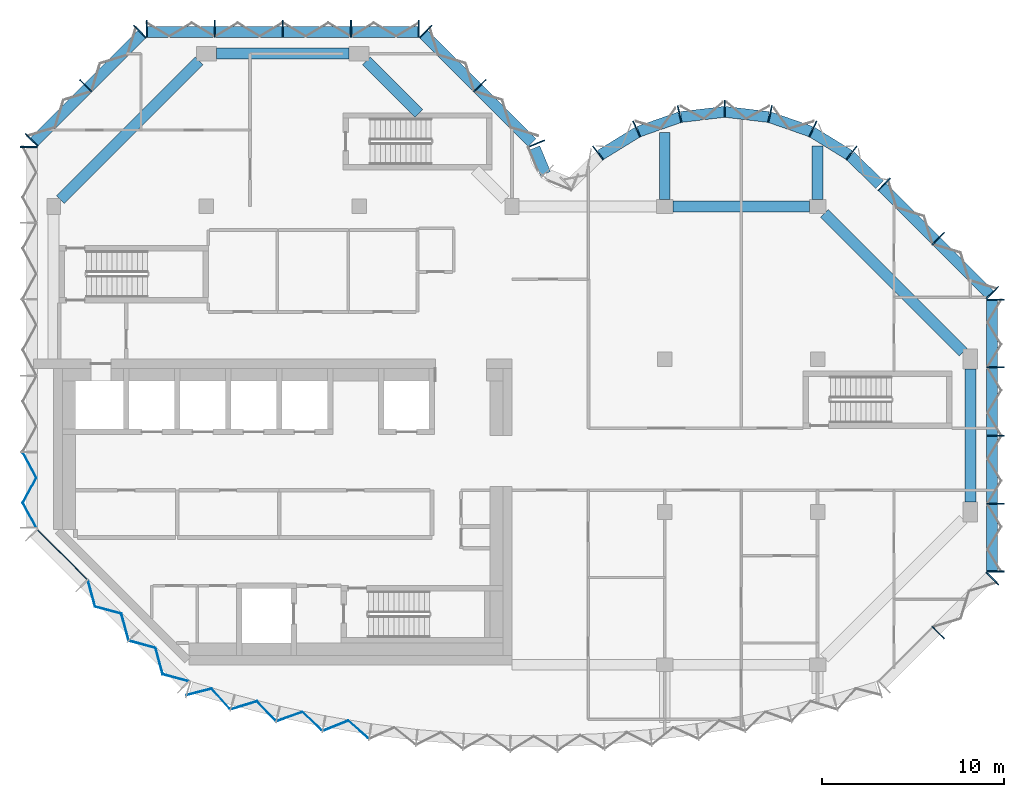
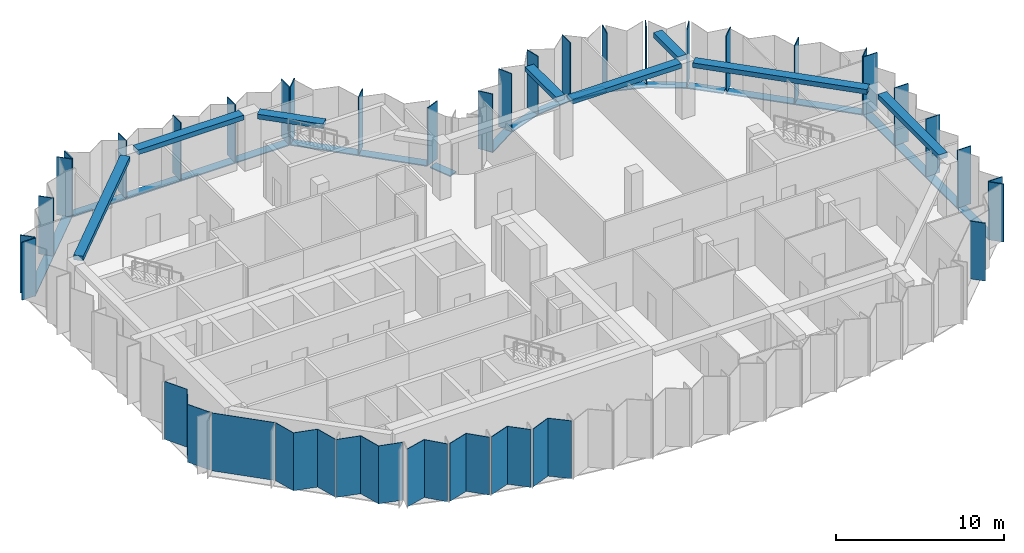
# One storey, part 2 of 10: 42 members, 8 beams, 8 plates, 11 elements without a shape of their own.
"""IFC4 building model written with IfcOpenShell, lengths in metres."""

from ifc_helpers import new_model, si_unit, direction, frame, origin, origin_2d, place, context, subcontext, project, spatial, polyline, rectangle, outline, extrude, material, layer, layer_set, material_profile, profile_set, type_object, element, aggregate, save


model = new_model("IFC4")

# Units and contexts
model_context = context("Model", 3, precision=1e-05, world=origin(), true_north=direction((0.0, 1.0)))
body_context = subcontext(model_context, "Body", "Model", "MODEL_VIEW")
ifc_project = project(units=[si_unit("LENGTHUNIT", "METRE"), si_unit("AREAUNIT", "SQUARE_METRE"), si_unit("VOLUMEUNIT", "CUBIC_METRE"), si_unit("PLANEANGLEUNIT", "RADIAN"), si_unit("MASSUNIT", "GRAM", prefix="KILO")], contexts=[model_context])

# Site, building, storey
site_placement = place(None, origin())
site = spatial("IfcSite", under=ifc_project, at=site_placement, CompositionType="ELEMENT")
building_placement = place(site_placement, origin())
building = spatial("IfcBuilding", under=site, at=building_placement, Name="Brevane Broadcast Tower", CompositionType="ELEMENT")
storey_placement = place(building_placement, frame((0.0, 0.0, 251.699951171875)))
storey = spatial("IfcBuildingStorey", under=building, at=storey_placement, Name="L64", CompositionType="ELEMENT", Elevation=251.699951171875)

# Curtain wall, members
ifc_material_1 = material(Name="Aluminium 6063-T6 bronze anodised", Category="aluminium")
curtain_wall_type = type_object("IfcCurtainWallType", Name="CW-5 curtain wall", PredefinedType="NOTDEFINED", material=ifc_material_1)
curtain_wall_1_placement = place(storey_placement, origin())
curtain_wall_1 = element("IfcCurtainWall", 1, at=curtain_wall_1_placement, inside=storey, type_object=curtain_wall_type, Name="CW-5 crown glazing unit L64 south-east chamfer", PredefinedType="NOTDEFINED")
ifc_material_profile_1 = material_profile(ifc_material_1, rectangle(XDim=0.949951171875, YDim=0.06005859375, at=origin_2d()), Name="RECT 60x950")
ifc_profile_set_1 = profile_set([ifc_material_profile_1], Name="Aluminium 6063-T6 bronze anodised")
member_type_1 = type_object("IfcMemberType", Name="CW-5 mullion 60x950", PredefinedType="MULLION", material=ifc_profile_set_1)
member_1_placement = place(storey_placement, frame((48.635986328125, 1.76416015625, -0.169921875), z_axis=(0.0, 0.0, 1.0), x_axis=(-0.707106781187, 0.707106781187, 0.0)))
member_1 = element("IfcMember", 2, at=member_1_placement, type_object=member_type_1, Name="CW-5 mullion", PredefinedType="MULLION", context=body_context, shape_type="SweptSolid", body=[
    extrude(rectangle(XDim=0.949951171875, YDim=0.06005859375, at=origin_2d()), origin(), (0.0, 0.0, 1.0), 4.219970703125),
])
member_2_placement = place(storey_placement, frame((51.61474609375, 4.742919921875, -0.169921875), z_axis=(0.0, 0.0, 1.0), x_axis=(-0.707106781187, 0.707106781187, 0.0)))
member_2 = element("IfcMember", 3, at=member_2_placement, type_object=member_type_1, Name="CW-5 mullion", PredefinedType="MULLION", context=body_context, shape_type="SweptSolid", body=[
    extrude(rectangle(XDim=0.949951171875, YDim=0.06005859375, at=origin_2d()), origin(), (0.0, 0.0, 1.0), 4.219970703125),
])
aggregate(curtain_wall_1, [member_1, member_2])

curtain_wall_2_placement = place(storey_placement, origin())
curtain_wall_2 = element("IfcCurtainWall", 4, at=curtain_wall_2_placement, inside=storey, type_object=curtain_wall_type, Name="CW-5 crown glazing unit L64 east end", PredefinedType="NOTDEFINED")
member_3_placement = place(storey_placement, frame((51.77490234375, 5.1298828125, -0.169921875), z_axis=(0.0, 0.0, 1.0), x_axis=(-1.0, 0.0, 0.0)))
member_3 = element("IfcMember", 5, at=member_3_placement, type_object=member_type_1, Name="CW-5 mullion", PredefinedType="MULLION", context=body_context, shape_type="SweptSolid", body=[
    extrude(rectangle(XDim=0.949951171875, YDim=0.06005859375, at=origin_2d()), origin(), (0.0, 0.0, 1.0), 4.219970703125),
])
member_4_placement = place(storey_placement, frame((51.77490234375, 8.85009765625, -0.169921875), z_axis=(0.0, 0.0, 1.0), x_axis=(-1.0, 0.0, 0.0)))
member_4 = element("IfcMember", 6, at=member_4_placement, type_object=member_type_1, Name="CW-5 mullion", PredefinedType="MULLION", context=body_context, shape_type="SweptSolid", body=[
    extrude(rectangle(XDim=0.949951171875, YDim=0.06005859375, at=origin_2d()), origin(), (0.0, 0.0, 1.0), 4.219970703125),
])
member_5_placement = place(storey_placement, frame((51.77490234375, 12.60009765625, -0.169921875), z_axis=(0.0, 0.0, 1.0), x_axis=(-1.0, 0.0, 0.0)))
member_5 = element("IfcMember", 7, at=member_5_placement, type_object=member_type_1, Name="CW-5 mullion", PredefinedType="MULLION", context=body_context, shape_type="SweptSolid", body=[
    extrude(rectangle(XDim=0.949951171875, YDim=0.06005859375, at=origin_2d()), origin(), (0.0, 0.0, 1.0), 4.219970703125),
])
member_6_placement = place(storey_placement, frame((51.77490234375, 16.35009765625, -0.169921875), z_axis=(0.0, 0.0, 1.0), x_axis=(-1.0, 0.0, 0.0)))
member_6 = element("IfcMember", 8, at=member_6_placement, type_object=member_type_1, Name="CW-5 mullion", PredefinedType="MULLION", context=body_context, shape_type="SweptSolid", body=[
    extrude(rectangle(XDim=0.949951171875, YDim=0.06005859375, at=origin_2d()), origin(), (0.0, 0.0, 1.0), 4.219970703125),
])
member_7_placement = place(storey_placement, frame((51.77490234375, 20.070068359375, -0.169921875), z_axis=(0.0, 0.0, 1.0), x_axis=(-1.0, 0.0, 0.0)))
member_7 = element("IfcMember", 9, at=member_7_placement, type_object=member_type_1, Name="CW-5 mullion", PredefinedType="MULLION", context=body_context, shape_type="SweptSolid", body=[
    extrude(rectangle(XDim=0.949951171875, YDim=0.06005859375, at=origin_2d()), origin(), (0.0, 0.0, 1.0), 4.219970703125),
])

curtain_wall_3_placement = place(storey_placement, origin())
curtain_wall_3 = element("IfcCurtainWall", 10, at=curtain_wall_3_placement, inside=storey, type_object=curtain_wall_type, Name="CW-5 crown glazing unit L64 north-east chamfer", PredefinedType="NOTDEFINED")
member_8_placement = place(storey_placement, frame((51.61474609375, 20.45703125, -0.169921875), z_axis=(0.0, 0.0, 1.0), x_axis=(-0.707106781187, -0.707106781187, 0.0)))
member_8 = element("IfcMember", 11, at=member_8_placement, type_object=member_type_1, Name="CW-5 mullion", PredefinedType="MULLION", context=body_context, shape_type="SweptSolid", body=[
    extrude(rectangle(XDim=0.949951171875, YDim=0.06005859375, at=origin_2d()), origin(), (0.0, 0.0, 1.0), 4.219970703125),
])
member_9_placement = place(storey_placement, frame((48.635986328125, 23.435791015625, -0.169921875), z_axis=(0.0, 0.0, 1.0), x_axis=(-0.707106781187, -0.707106781187, 0.0)))
member_9 = element("IfcMember", 12, at=member_9_placement, type_object=member_type_1, Name="CW-5 mullion", PredefinedType="MULLION", context=body_context, shape_type="SweptSolid", body=[
    extrude(rectangle(XDim=0.949951171875, YDim=0.06005859375, at=origin_2d()), origin(), (0.0, 0.0, 1.0), 4.219970703125),
])
member_10_placement = place(storey_placement, frame((45.656982421875, 26.41455078125, -0.169921875), z_axis=(0.0, 0.0, 1.0), x_axis=(-0.707106781187, -0.707106781187, 0.0)))
member_10 = element("IfcMember", 13, at=member_10_placement, type_object=member_type_1, Name="CW-5 mullion", PredefinedType="MULLION", context=body_context, shape_type="SweptSolid", body=[
    extrude(rectangle(XDim=0.949951171875, YDim=0.06005859375, at=origin_2d()), origin(), (0.0, 0.0, 1.0), 4.219970703125),
])

curtain_wall_4_placement = place(storey_placement, origin())
curtain_wall_4 = element("IfcCurtainWall", 14, at=curtain_wall_4_placement, inside=storey, type_object=curtain_wall_type, Name="CW-5 crown glazing unit L64 east bow", PredefinedType="NOTDEFINED")
member_11_placement = place(storey_placement, frame((43.8720703125, 28.1455078125, -0.169921875), z_axis=(0.0, 0.0, 1.0), x_axis=(-0.614769698862, -0.788706673841, 0.0)))
member_11 = element("IfcMember", 15, at=member_11_placement, type_object=member_type_1, Name="CW-5 mullion", PredefinedType="MULLION", context=body_context, shape_type="SweptSolid", body=[
    extrude(rectangle(XDim=0.949951171875, YDim=0.06005859375, at=origin_2d()), origin(), (0.0, 0.0, 1.0), 4.219970703125),
])
member_12_placement = place(storey_placement, frame((41.746826171875, 29.4580078125, -0.169921875), z_axis=(0.0, 0.0, 1.0), x_axis=(-0.429933580394, -0.902860518823, 0.0)))
member_12 = element("IfcMember", 16, at=member_12_placement, type_object=member_type_1, Name="CW-5 mullion", PredefinedType="MULLION", context=body_context, shape_type="SweptSolid", body=[
    extrude(rectangle(XDim=0.949951171875, YDim=0.06005859375, at=origin_2d()), origin(), (0.0, 0.0, 1.0), 4.219970703125),
])
member_13_placement = place(storey_placement, frame((39.38818359375, 30.28076171875, -0.169921875), z_axis=(0.0, 0.0, 1.0), x_axis=(-0.224806535479, -0.974403418306, 0.0)))
member_13 = element("IfcMember", 17, at=member_13_placement, type_object=member_type_1, Name="CW-5 mullion", PredefinedType="MULLION", context=body_context, shape_type="SweptSolid", body=[
    extrude(rectangle(XDim=0.949951171875, YDim=0.06005859375, at=origin_2d()), origin(), (0.0, 0.0, 1.0), 4.219970703125),
])
member_14_placement = place(storey_placement, frame((36.89990234375, 30.574951171875, -0.169921875), z_axis=(0.0, 0.0, 1.0), x_axis=(0.0, -1.0, 0.0)))
member_14 = element("IfcMember", 18, at=member_14_placement, type_object=member_type_1, Name="CW-5 mullion", PredefinedType="MULLION", context=body_context, shape_type="SweptSolid", body=[
    extrude(rectangle(XDim=0.949951171875, YDim=0.06005859375, at=origin_2d()), origin(), (0.0, 0.0, 1.0), 4.219970703125),
])
member_15_placement = place(storey_placement, frame((34.411865234375, 30.28076171875, -0.169921875), z_axis=(0.0, 0.0, 1.0), x_axis=(0.224806535479, -0.974403418306, 0.0)))
member_15 = element("IfcMember", 19, at=member_15_placement, type_object=member_type_1, Name="CW-5 mullion", PredefinedType="MULLION", context=body_context, shape_type="SweptSolid", body=[
    extrude(rectangle(XDim=0.949951171875, YDim=0.06005859375, at=origin_2d()), origin(), (0.0, 0.0, 1.0), 4.219970703125),
])
member_16_placement = place(storey_placement, frame((32.05322265625, 29.4580078125, -0.169921875), z_axis=(0.0, 0.0, 1.0), x_axis=(0.429933580394, -0.902860518823, 0.0)))
member_16 = element("IfcMember", 20, at=member_16_placement, type_object=member_type_1, Name="CW-5 mullion", PredefinedType="MULLION", context=body_context, shape_type="SweptSolid", body=[
    extrude(rectangle(XDim=0.949951171875, YDim=0.06005859375, at=origin_2d()), origin(), (0.0, 0.0, 1.0), 4.219970703125),
])
member_17_placement = place(storey_placement, frame((29.927978515625, 28.1455078125, -0.169921875), z_axis=(0.0, 0.0, 1.0), x_axis=(0.614769698862, -0.788706673841, 0.0)))
member_17 = element("IfcMember", 21, at=member_17_placement, type_object=member_type_1, Name="CW-5 mullion", PredefinedType="MULLION", context=body_context, shape_type="SweptSolid", body=[
    extrude(rectangle(XDim=0.949951171875, YDim=0.06005859375, at=origin_2d()), origin(), (0.0, 0.0, 1.0), 4.219970703125),
])

# Curtain wall, member
curtain_wall_5_placement = place(storey_placement, origin())
curtain_wall_5 = element("IfcCurtainWall", 22, at=curtain_wall_5_placement, inside=storey, type_object=curtain_wall_type, Name="CW-5 crown glazing unit L64 inner corner", PredefinedType="NOTDEFINED")
member_18_placement = place(storey_placement, frame((26.55029296875, 28.654052734375, -0.169921875), z_axis=(0.0, 0.0, 1.0), x_axis=(-0.923879532511, -0.382683432365, 0.0)))
member_18 = element("IfcMember", 23, at=member_18_placement, type_object=member_type_1, Name="CW-5 mullion", PredefinedType="MULLION", context=body_context, shape_type="SweptSolid", body=[
    extrude(rectangle(XDim=0.949951171875, YDim=0.06005859375, at=origin_2d()), origin(), (0.0, 0.0, 1.0), 4.219970703125),
])

# Curtain wall, members
curtain_wall_6_placement = place(storey_placement, origin())
curtain_wall_6 = element("IfcCurtainWall", 24, at=curtain_wall_6_placement, inside=storey, type_object=curtain_wall_type, Name="CW-5 crown glazing unit L64 north arm north-east chamfer", PredefinedType="NOTDEFINED")
member_19_placement = place(storey_placement, frame((23.435791015625, 31.8359375, -0.169921875), z_axis=(0.0, 0.0, 1.0), x_axis=(-0.707106781187, -0.707106781187, 0.0)))
member_19 = element("IfcMember", 25, at=member_19_placement, type_object=member_type_1, Name="CW-5 mullion", PredefinedType="MULLION", context=body_context, shape_type="SweptSolid", body=[
    extrude(rectangle(XDim=0.949951171875, YDim=0.06005859375, at=origin_2d()), origin(), (0.0, 0.0, 1.0), 4.219970703125),
])
member_20_placement = place(storey_placement, frame((20.45703125, 34.814697265625, -0.169921875), z_axis=(0.0, 0.0, 1.0), x_axis=(-0.707106781187, -0.707106781187, 0.0)))
member_20 = element("IfcMember", 26, at=member_20_placement, type_object=member_type_1, Name="CW-5 mullion", PredefinedType="MULLION", context=body_context, shape_type="SweptSolid", body=[
    extrude(rectangle(XDim=0.949951171875, YDim=0.06005859375, at=origin_2d()), origin(), (0.0, 0.0, 1.0), 4.219970703125),
])

curtain_wall_7_placement = place(storey_placement, origin())
curtain_wall_7 = element("IfcCurtainWall", 27, at=curtain_wall_7_placement, inside=storey, type_object=curtain_wall_type, Name="CW-5 crown glazing unit L64 north end", PredefinedType="NOTDEFINED")
member_21_placement = place(storey_placement, frame((20.070068359375, 34.97509765625, -0.169921875), z_axis=(0.0, 0.0, 1.0), x_axis=(0.0, -1.0, 0.0)))
member_21 = element("IfcMember", 28, at=member_21_placement, type_object=member_type_1, Name="CW-5 mullion", PredefinedType="MULLION", context=body_context, shape_type="SweptSolid", body=[
    extrude(rectangle(XDim=0.949951171875, YDim=0.06005859375, at=origin_2d()), origin(), (0.0, 0.0, 1.0), 4.219970703125),
])
member_22_placement = place(storey_placement, frame((16.35009765625, 34.97509765625, -0.169921875), z_axis=(0.0, 0.0, 1.0), x_axis=(0.0, -1.0, 0.0)))
member_22 = element("IfcMember", 29, at=member_22_placement, type_object=member_type_1, Name="CW-5 mullion", PredefinedType="MULLION", context=body_context, shape_type="SweptSolid", body=[
    extrude(rectangle(XDim=0.949951171875, YDim=0.06005859375, at=origin_2d()), origin(), (0.0, 0.0, 1.0), 4.219970703125),
])
member_23_placement = place(storey_placement, frame((12.60009765625, 34.97509765625, -0.169921875), z_axis=(0.0, 0.0, 1.0), x_axis=(0.0, -1.0, 0.0)))
member_23 = element("IfcMember", 30, at=member_23_placement, type_object=member_type_1, Name="CW-5 mullion", PredefinedType="MULLION", context=body_context, shape_type="SweptSolid", body=[
    extrude(rectangle(XDim=0.949951171875, YDim=0.06005859375, at=origin_2d()), origin(), (0.0, 0.0, 1.0), 4.219970703125),
])
member_24_placement = place(storey_placement, frame((8.85009765625, 34.97509765625, -0.169921875), z_axis=(0.0, 0.0, 1.0), x_axis=(0.0, -1.0, 0.0)))
member_24 = element("IfcMember", 31, at=member_24_placement, type_object=member_type_1, Name="CW-5 mullion", PredefinedType="MULLION", context=body_context, shape_type="SweptSolid", body=[
    extrude(rectangle(XDim=0.949951171875, YDim=0.06005859375, at=origin_2d()), origin(), (0.0, 0.0, 1.0), 4.219970703125),
])
member_25_placement = place(storey_placement, frame((5.1298828125, 34.97509765625, -0.169921875), z_axis=(0.0, 0.0, 1.0), x_axis=(0.0, -1.0, 0.0)))
member_25 = element("IfcMember", 32, at=member_25_placement, type_object=member_type_1, Name="CW-5 mullion", PredefinedType="MULLION", context=body_context, shape_type="SweptSolid", body=[
    extrude(rectangle(XDim=0.949951171875, YDim=0.06005859375, at=origin_2d()), origin(), (0.0, 0.0, 1.0), 4.219970703125),
])

curtain_wall_8_placement = place(storey_placement, origin())
curtain_wall_8 = element("IfcCurtainWall", 33, at=curtain_wall_8_placement, inside=storey, type_object=curtain_wall_type, Name="CW-5 crown glazing unit L64 north-west chamfer", PredefinedType="NOTDEFINED")
member_26_placement = place(storey_placement, frame((4.742919921875, 34.814697265625, -0.169921875), z_axis=(0.0, 0.0, 1.0), x_axis=(0.707106781187, -0.707106781187, 0.0)))
member_26 = element("IfcMember", 34, at=member_26_placement, type_object=member_type_1, Name="CW-5 mullion", PredefinedType="MULLION", context=body_context, shape_type="SweptSolid", body=[
    extrude(rectangle(XDim=0.949951171875, YDim=0.06005859375, at=origin_2d()), origin(), (0.0, 0.0, 1.0), 4.219970703125),
])
member_27_placement = place(storey_placement, frame((1.76416015625, 31.8359375, -0.169921875), z_axis=(0.0, 0.0, 1.0), x_axis=(0.707106781187, -0.707106781187, 0.0)))
member_27 = element("IfcMember", 35, at=member_27_placement, type_object=member_type_1, Name="CW-5 mullion", PredefinedType="MULLION", context=body_context, shape_type="SweptSolid", body=[
    extrude(rectangle(XDim=0.949951171875, YDim=0.06005859375, at=origin_2d()), origin(), (0.0, 0.0, 1.0), 4.219970703125),
])
member_28_placement = place(storey_placement, frame((-1.214599609375, 28.857177734375, -0.169921875), z_axis=(0.0, 0.0, 1.0), x_axis=(0.707106781187, -0.707106781187, 0.0)))
member_28 = element("IfcMember", 36, at=member_28_placement, type_object=member_type_1, Name="CW-5 mullion", PredefinedType="MULLION", context=body_context, shape_type="SweptSolid", body=[
    extrude(rectangle(XDim=0.949951171875, YDim=0.06005859375, at=origin_2d()), origin(), (0.0, 0.0, 1.0), 4.219970703125),
])

# Curtain wall, member
curtain_wall_9_placement = place(storey_placement, origin())
curtain_wall_9 = element("IfcCurtainWall", 37, at=curtain_wall_9_placement, inside=storey, type_object=curtain_wall_type, Name="CW-5 crown glazing unit L64 west face", PredefinedType="NOTDEFINED")
member_29_placement = place(storey_placement, frame((-1.375, 28.469970703125, -0.169921875), z_axis=(0.0, 0.0, 1.0), x_axis=(1.0, 0.0, 0.0)))
member_29 = element("IfcMember", 38, at=member_29_placement, type_object=member_type_1, Name="CW-5 mullion", PredefinedType="MULLION", context=body_context, shape_type="SweptSolid", body=[
    extrude(rectangle(XDim=0.949951171875, YDim=0.06005859375, at=origin_2d()), origin(), (0.0, 0.0, 1.0), 4.219970703125),
])

# Member
ifc_material_profile_2 = material_profile(ifc_material_1, rectangle(XDim=0.60009765625, YDim=0.080078125, at=origin_2d()), Name="RECT 80x600")
ifc_profile_set_2 = profile_set([ifc_material_profile_2], Name="Aluminium 6063-T6 bronze anodised")
member_type_2 = type_object("IfcMemberType", Name="CW-5 transom 80x600", PredefinedType="USERDEFINED", material=ifc_profile_set_2)
member_30_placement = place(storey_placement, frame((51.60009765625, 5.10009765625, -0.2099609375), z_axis=(0.0, 1.0, 0.0), x_axis=(-1.0, 0.0, 0.0)))
member_30 = element("IfcMember", 39, at=member_30_placement, type_object=member_type_2, Name="CW-5 transom", ObjectType="TRANSOM", PredefinedType="USERDEFINED", context=body_context, shape_type="SweptSolid", body=[
    extrude(rectangle(XDim=0.60009765625, YDim=0.080078125, at=origin_2d()), origin(), (0.0, 0.0, 1.0), 15.0),
])

aggregate(curtain_wall_2, [member_3, member_4, member_5, member_6, member_7, member_30])

member_31_placement = place(storey_placement, frame((51.51220703125, 20.31201171875, -0.2099609375), z_axis=(-0.707106781187, 0.707106781187, 0.0), x_axis=(-0.707106781187, -0.707106781187, 0.0)))
member_31 = element("IfcMember", 40, at=member_31_placement, type_object=member_type_2, Name="CW-5 transom", ObjectType="TRANSOM", PredefinedType="USERDEFINED", context=body_context, shape_type="SweptSolid", body=[
    extrude(rectangle(XDim=0.60009765625, YDim=0.080078125, at=origin_2d()), origin(), (0.0, 0.0, 1.0), 8.4853515625),
])

aggregate(curtain_wall_3, [member_8, member_9, member_10, member_31])

member_32_placement = place(storey_placement, frame((45.412841796875, 26.407958984375, -0.2099609375), z_axis=(-0.71724215871, 0.696823999134, 0.0), x_axis=(-0.696823999134, -0.71724215871, 0.0)))
member_32 = element("IfcMember", 41, at=member_32_placement, type_object=member_type_2, Name="CW-5 transom", ObjectType="TRANSOM", PredefinedType="USERDEFINED", context=body_context, shape_type="SweptSolid", body=[
    extrude(rectangle(XDim=0.60009765625, YDim=0.080078125, at=origin_2d()), origin(), (0.0, 0.0, 1.0), 2.247802734375),
])

member_33_placement = place(storey_placement, frame((43.7421875, 28.023193359375, -0.2099609375), z_axis=(-0.850810063131, 0.525473345162, 0.0), x_axis=(-0.525473345162, -0.850810063131, 0.0)))
member_33 = element("IfcMember", 42, at=member_33_placement, type_object=member_type_2, Name="CW-5 transom", ObjectType="TRANSOM", PredefinedType="USERDEFINED", context=body_context, shape_type="SweptSolid", body=[
    extrude(rectangle(XDim=0.60009765625, YDim=0.080078125, at=origin_2d()), origin(), (0.0, 0.0, 1.0), 2.39453125),
])

member_34_placement = place(storey_placement, frame((41.63623046875, 29.314208984375, -0.2099609375), z_axis=(-0.944197969542, 0.329378497041, 0.0), x_axis=(-0.329378497041, -0.944197969542, 0.0)))
member_34 = element("IfcMember", 43, at=member_34_placement, type_object=member_type_2, Name="CW-5 transom", ObjectType="TRANSOM", PredefinedType="USERDEFINED", context=body_context, shape_type="SweptSolid", body=[
    extrude(rectangle(XDim=0.60009765625, YDim=0.080078125, at=origin_2d()), origin(), (0.0, 0.0, 1.0), 2.394775390625),
])

member_35_placement = place(storey_placement, frame((39.30029296875, 30.117431640625, -0.2099609375), z_axis=(-0.993062061831, 0.117591417, 0.0), x_axis=(-0.117591417, -0.993062061831, 0.0)))
member_35 = element("IfcMember", 44, at=member_35_placement, type_object=member_type_2, Name="CW-5 transom", ObjectType="TRANSOM", PredefinedType="USERDEFINED", context=body_context, shape_type="SweptSolid", body=[
    extrude(rectangle(XDim=0.60009765625, YDim=0.080078125, at=origin_2d()), origin(), (0.0, 0.0, 1.0), 2.39794921875),
])

member_36_placement = place(storey_placement, frame((36.880859375, 30.3994140625, -0.2099609375), z_axis=(-0.993060653805, -0.117603307202, 0.0), x_axis=(0.117603307202, -0.993060653805, 0.0)))
member_36 = element("IfcMember", 45, at=member_36_placement, type_object=member_type_2, Name="CW-5 transom", ObjectType="TRANSOM", PredefinedType="USERDEFINED", context=body_context, shape_type="SweptSolid", body=[
    extrude(rectangle(XDim=0.60009765625, YDim=0.080078125, at=origin_2d()), origin(), (0.0, 0.0, 1.0), 2.397705078125),
])

member_37_placement = place(storey_placement, frame((34.425048828125, 30.10302734375, -0.2099609375), z_axis=(-0.944197969542, -0.329378497041, 0.0), x_axis=(0.329378497041, -0.944197969542, 0.0)))
member_37 = element("IfcMember", 46, at=member_37_placement, type_object=member_type_2, Name="CW-5 transom", ObjectType="TRANSOM", PredefinedType="USERDEFINED", context=body_context, shape_type="SweptSolid", body=[
    extrude(rectangle(XDim=0.60009765625, YDim=0.080078125, at=origin_2d()), origin(), (0.0, 0.0, 1.0), 2.394775390625),
])

member_38_placement = place(storey_placement, frame((32.09521484375, 29.281494140625, -0.2099609375), z_axis=(-0.850838211365, -0.525427766759, 0.0), x_axis=(0.525427766759, -0.850838211365, 0.0)))
member_38 = element("IfcMember", 47, at=member_38_placement, type_object=member_type_2, Name="CW-5 transom", ObjectType="TRANSOM", PredefinedType="USERDEFINED", context=body_context, shape_type="SweptSolid", body=[
    extrude(rectangle(XDim=0.60009765625, YDim=0.080078125, at=origin_2d()), origin(), (0.0, 0.0, 1.0), 2.394775390625),
])

aggregate(curtain_wall_4, [member_11, member_12, member_13, member_14, member_15, member_16, member_17, member_32, member_33, member_34, member_35, member_36, member_37, member_38])

member_39_placement = place(storey_placement, frame((27.039794921875, 27.0, -0.2099609375), z_axis=(-0.382674472816, 0.923883243627, 0.0), x_axis=(-0.923883243627, -0.382674472816, 0.0)))
member_39 = element("IfcMember", 48, at=member_39_placement, type_object=member_type_2, Name="CW-5 transom", ObjectType="TRANSOM", PredefinedType="USERDEFINED", context=body_context, shape_type="SweptSolid", body=[
    extrude(rectangle(XDim=0.60009765625, YDim=0.080078125, at=origin_2d()), origin(), (0.0, 0.0, 1.0), 1.536865234375),
])

aggregate(curtain_wall_5, [member_18, member_39])

member_40_placement = place(storey_placement, frame((26.31201171875, 28.712158203125, -0.2099609375), z_axis=(-0.707106781187, 0.707106781187, 0.0), x_axis=(-0.707106781187, -0.707106781187, 0.0)))
member_40 = element("IfcMember", 49, at=member_40_placement, type_object=member_type_2, Name="CW-5 transom", ObjectType="TRANSOM", PredefinedType="USERDEFINED", context=body_context, shape_type="SweptSolid", body=[
    extrude(rectangle(XDim=0.60009765625, YDim=0.080078125, at=origin_2d()), origin(), (0.0, 0.0, 1.0), 8.4853515625),
])

aggregate(curtain_wall_6, [member_19, member_20, member_40])

member_41_placement = place(storey_placement, frame((20.10009765625, 34.800048828125, -0.2099609375), z_axis=(-1.0, 0.0, 0.0), x_axis=(0.0, -1.0, 0.0)))
member_41 = element("IfcMember", 50, at=member_41_placement, type_object=member_type_2, Name="CW-5 transom", ObjectType="TRANSOM", PredefinedType="USERDEFINED", context=body_context, shape_type="SweptSolid", body=[
    extrude(rectangle(XDim=0.60009765625, YDim=0.080078125, at=origin_2d()), origin(), (0.0, 0.0, 1.0), 15.0),
])

aggregate(curtain_wall_7, [member_21, member_22, member_23, member_24, member_25, member_41])

member_42_placement = place(storey_placement, frame((4.887939453125, 34.712158203125, -0.2099609375), z_axis=(-0.707106781187, -0.707106781187, 0.0), x_axis=(0.707106781187, -0.707106781187, 0.0)))
member_42 = element("IfcMember", 51, at=member_42_placement, type_object=member_type_2, Name="CW-5 transom", ObjectType="TRANSOM", PredefinedType="USERDEFINED", context=body_context, shape_type="SweptSolid", body=[
    extrude(rectangle(XDim=0.60009765625, YDim=0.080078125, at=origin_2d()), origin(), (0.0, 0.0, 1.0), 8.4853515625),
])

aggregate(curtain_wall_8, [member_26, member_27, member_28, member_42])

# Beams
ifc_material_2 = material(Name="Concrete C40/50", Category="concrete")
ifc_material_profile_3 = material_profile(ifc_material_2, rectangle(XDim=0.60009765625, YDim=0.35009765625, at=origin_2d()), Name="RC 600x350")
ifc_profile_set_3 = profile_set([ifc_material_profile_3], Name="Concrete C40/50")
beam_type_1 = type_object("IfcBeamType", Name="RC BRACKET BEAM 600x350 C40/50", PredefinedType="BEAM", material=ifc_profile_set_3)
beam_1_placement = place(storey_placement, frame((33.60009765625, 25.574951171875, 3.875), z_axis=(0.0, 1.0, 0.0), x_axis=(-1.0, 0.0, 0.0)))
element("IfcBeam", 52, at=beam_1_placement, inside=storey, type_object=beam_type_1, Name="EB2 L64-2", PredefinedType="BEAM", context=body_context, shape_type="SweptSolid", body=[
    extrude(rectangle(XDim=0.60009765625, YDim=0.35009765625, at=origin_2d()), origin(), (0.0, 0.0, 1.0), 3.68701171875),
])
beam_2_placement = place(storey_placement, frame((42.0, 25.574951171875, 3.875), z_axis=(0.0, 1.0, 0.0), x_axis=(-1.0, 0.0, 0.0)))
element("IfcBeam", 53, at=beam_2_placement, inside=storey, type_object=beam_type_1, Name="EB2 L64-4", PredefinedType="BEAM", context=body_context, shape_type="SweptSolid", body=[
    extrude(rectangle(XDim=0.60009765625, YDim=0.35009765625, at=origin_2d()), origin(), (0.0, 0.0, 1.0), 2.9365234375),
])
ifc_material_profile_4 = material_profile(ifc_material_2, rectangle(XDim=0.60009765625, YDim=0.35009765625, at=origin_2d()), Name="RC 600x350")
ifc_profile_set_4 = profile_set([ifc_material_profile_4], Name="Concrete C40/50")
beam_type_2 = type_object("IfcBeamType", Name="RC SPANDREL BEAM 600x350 C40/50", PredefinedType="SPANDREL", material=ifc_profile_set_4)
beam_3_placement = place(storey_placement, frame((50.39990234375, 8.949951171875, 3.875), z_axis=(0.0, 1.0, 0.0), x_axis=(-1.0, 0.0, 0.0)))
element("IfcBeam", 54, at=beam_3_placement, inside=storey, type_object=beam_type_2, Name="EB1 L64-4", PredefinedType="SPANDREL", context=body_context, shape_type="SweptSolid", body=[
    extrude(rectangle(XDim=0.60009765625, YDim=0.35009765625, at=origin_2d()), origin(), (0.0, 0.0, 1.0), 7.300048828125),
])
beam_4_placement = place(storey_placement, frame((50.0, 17.199951171875, 3.875), z_axis=(-0.707106781187, 0.707106781187, 0.0), x_axis=(-0.707106781187, -0.707106781187, 0.0)))
element("IfcBeam", 55, at=beam_4_placement, inside=storey, type_object=beam_type_2, Name="EB1 L64-5", PredefinedType="SPANDREL", context=body_context, shape_type="SweptSolid", body=[
    extrude(rectangle(XDim=0.60009765625, YDim=0.35009765625, at=origin_2d()), origin(), (0.0, 0.0, 1.0), 10.783447265625),
])
beam_5_placement = place(storey_placement, frame((41.550048828125, 25.199951171875, 3.875), z_axis=(-1.0, 0.0, 0.0), x_axis=(0.0, -1.0, 0.0)))
element("IfcBeam", 56, at=beam_5_placement, inside=storey, type_object=beam_type_2, Name="EB1 L64-6", PredefinedType="SPANDREL", context=body_context, shape_type="SweptSolid", body=[
    extrude(rectangle(XDim=0.60009765625, YDim=0.35009765625, at=origin_2d()), origin(), (0.0, 0.0, 1.0), 7.5),
])
beam_6_placement = place(storey_placement, frame((20.080078125, 30.320068359375, 3.875), z_axis=(-0.707136751593, 0.70707680951, 0.0), x_axis=(-0.70707680951, -0.707136751593, 0.0)))
element("IfcBeam", 57, at=beam_6_placement, inside=storey, type_object=beam_type_2, Name="EB1 L64-12", PredefinedType="SPANDREL", context=body_context, shape_type="SweptSolid", body=[
    extrude(rectangle(XDim=0.60009765625, YDim=0.35009765625, at=origin_2d()), origin(), (0.0, 0.0, 1.0), 4.072998046875),
])
beam_7_placement = place(storey_placement, frame((16.25, 33.60009765625, 3.875), z_axis=(-1.0, 0.0, 0.0), x_axis=(0.0, -1.0, 0.0)))
element("IfcBeam", 58, at=beam_7_placement, inside=storey, type_object=beam_type_2, Name="EB1 L64-9", PredefinedType="SPANDREL", context=body_context, shape_type="SweptSolid", body=[
    extrude(rectangle(XDim=0.60009765625, YDim=0.35009765625, at=origin_2d()), origin(), (0.0, 0.0, 1.0), 7.300048828125),
])
beam_8_placement = place(storey_placement, frame((8.0, 33.199951171875, 3.875), z_axis=(-0.707106781187, -0.707106781187, 0.0), x_axis=(0.707106781187, -0.707106781187, 0.0)))
element("IfcBeam", 59, at=beam_8_placement, inside=storey, type_object=beam_type_2, Name="EB1 L64-10", PredefinedType="SPANDREL", context=body_context, shape_type="SweptSolid", body=[
    extrude(rectangle(XDim=0.60009765625, YDim=0.35009765625, at=origin_2d()), origin(), (0.0, 0.0, 1.0), 10.783447265625),
])

# Curtain wall, plates
curtain_wall_10_placement = place(storey_placement, origin())
curtain_wall_10 = element("IfcCurtainWall", 60, at=curtain_wall_10_placement, inside=storey, type_object=curtain_wall_type, Name="CW-5 crown glazing unit L64 south bow", PredefinedType="NOTDEFINED")
ifc_material_3 = material(Name="Laminated glass bronze-tinted", Category="glass")
ifc_layer = layer(ifc_material_3, 0.0400390625)
ifc_layer_set = layer_set([ifc_layer], Name="CW tall glass panel 40")
plate_type = type_object("IfcPlateType", Name="CW tall glass panel 40", PredefinedType="CURTAIN_PANEL", material=ifc_layer_set)
plate_1_placement = place(storey_placement, frame((0.0, 0.0, -0.169921875)))
plate_1 = element("IfcPlate", 61, at=plate_1_placement, type_object=plate_type, Name="CW-5 glass panel", PredefinedType="CURTAIN_PANEL", context=body_context, shape_type="SweptSolid", body=[
    extrude(outline(polyline([(7.307373046875, -1.64208984375), (7.2939453125, -1.686767578125), (8.68603515625, -1.334716796875), (9.66259765625, -2.42333984375), (9.67529296875, -2.377685546875), (8.69970703125, -1.289794921875), (7.307373046875, -1.64208984375)])), origin(), (0.0, 0.0, 1.0), 4.219970703125),
])
plate_2_placement = place(storey_placement, frame((0.0, 0.0, -0.169921875)))
plate_2 = element("IfcPlate", 62, at=plate_2_placement, type_object=plate_type, Name="CW-5 glass panel", PredefinedType="CURTAIN_PANEL", context=body_context, shape_type="SweptSolid", body=[
    extrude(outline(polyline([(9.81005859375, -2.40625), (9.79736328125, -2.451904296875), (11.174560546875, -2.030029296875), (12.177001953125, -3.07080078125), (12.18798828125, -3.0244140625), (11.186279296875, -1.984619140625), (9.81005859375, -2.40625)])), origin(), (0.0, 0.0, 1.0), 4.219970703125),
])
plate_3_placement = place(storey_placement, frame((0.0, 0.0, -0.169921875)))
plate_3 = element("IfcPlate", 63, at=plate_3_placement, type_object=plate_type, Name="CW-5 glass panel", PredefinedType="CURTAIN_PANEL", context=body_context, shape_type="SweptSolid", body=[
    extrude(outline(polyline([(12.3232421875, -3.05029296875), (12.312255859375, -3.0966796875), (13.67138671875, -2.615966796875), (14.716552734375, -3.6123046875), (14.725341796875, -3.5654296875), (13.68115234375, -2.570068359375), (12.3232421875, -3.05029296875)])), origin(), (0.0, 0.0, 1.0), 4.219970703125),
])
plate_4_placement = place(storey_placement, frame((0.0, 0.0, -0.169921875)))
plate_4 = element("IfcPlate", 64, at=plate_4_placement, type_object=plate_type, Name="CW-5 glass panel", PredefinedType="CURTAIN_PANEL", context=body_context, shape_type="SweptSolid", body=[
    extrude(outline(polyline([(14.861083984375, -3.589111328125), (14.85205078125, -3.6357421875), (16.190185546875, -3.09716796875), (17.276123046875, -4.04736328125), (17.283203125, -4.000244140625), (16.197998046875, -3.05078125), (14.861083984375, -3.589111328125)])), origin(), (0.0, 0.0, 1.0), 4.219970703125),
])
aggregate(curtain_wall_10, [plate_1, plate_2, plate_3, plate_4])

# Plate
plate_5_placement = place(storey_placement, frame((0.0, 0.0, -0.169921875)))
plate_5 = element("IfcPlate", 65, at=plate_5_placement, type_object=plate_type, Name="CW-5 glass panel", PredefinedType="CURTAIN_PANEL", context=body_context, shape_type="SweptSolid", body=[
    extrude(outline(polyline([(-1.671630859375, 11.669921875), (-1.717041015625, 11.669921875), (-0.97265625, 10.2900390625), (-1.717041015625, 8.909912109375), (-0.97265625, 7.530029296875), (-0.92724609375, 7.530029296875), (-1.671630859375, 8.909912109375), (-0.92724609375, 10.2900390625), (-1.671630859375, 11.669921875)])), origin(), (0.0, 0.0, 1.0), 4.219970703125),
])

aggregate(curtain_wall_9, [member_29, plate_5])

# Curtain wall, plates
curtain_wall_11_placement = place(storey_placement, origin())
curtain_wall_11 = element("IfcCurtainWall", 66, at=curtain_wall_11_placement, inside=storey, type_object=curtain_wall_type, Name="CW-5 crown glazing unit L64 south-west chamfer", PredefinedType="NOTDEFINED")
plate_6_placement = place(storey_placement, frame((0.0, 0.0, -0.169921875)))
plate_6 = element("IfcPlate", 67, at=plate_6_placement, type_object=plate_type, Name="CW-5 glass panel", PredefinedType="CURTAIN_PANEL", context=body_context, shape_type="SweptSolid", body=[
    extrude(outline(polyline([(-0.89990234375, 7.45751953125), (1.857666015625, 4.699951171875), (1.829345703125, 4.671630859375), (-0.92822265625, 7.42919921875), (-0.89990234375, 7.45751953125)])), origin(), (0.0, 0.0, 1.0), 4.219970703125),
])
plate_7_placement = place(storey_placement, frame((0.0, 0.0, -0.169921875)))
plate_7 = element("IfcPlate", 68, at=plate_7_placement, type_object=plate_type, Name="CW-5 glass panel", PredefinedType="CURTAIN_PANEL", context=body_context, shape_type="SweptSolid", body=[
    extrude(outline(polyline([(1.902099609375, 4.65966796875), (1.86962890625, 4.627197265625), (2.262451171875, 3.181640625), (3.7080078125, 2.788818359375), (4.100830078125, 1.34326171875), (4.13330078125, 1.375732421875), (3.740478515625, 2.8212890625), (2.294921875, 3.214111328125), (1.902099609375, 4.65966796875)])), origin(), (0.0, 0.0, 1.0), 4.219970703125),
])
plate_8_placement = place(storey_placement, frame((0.0, 0.0, -0.169921875)))
plate_8 = element("IfcPlate", 69, at=plate_8_placement, type_object=plate_type, Name="CW-5 glass panel", PredefinedType="CURTAIN_PANEL", context=body_context, shape_type="SweptSolid", body=[
    extrude(outline(polyline([(4.17578125, 1.33349609375), (4.143310546875, 1.30078125), (5.5888671875, 0.907958984375), (5.981689453125, -0.53759765625), (7.427001953125, -0.930419921875), (7.459716796875, -0.897705078125), (6.01416015625, -0.5048828125), (5.621337890625, 0.9404296875), (4.17578125, 1.33349609375)])), origin(), (0.0, 0.0, 1.0), 4.219970703125),
])
aggregate(curtain_wall_11, [plate_6, plate_7, plate_8])

save(model, "model.ifc")
